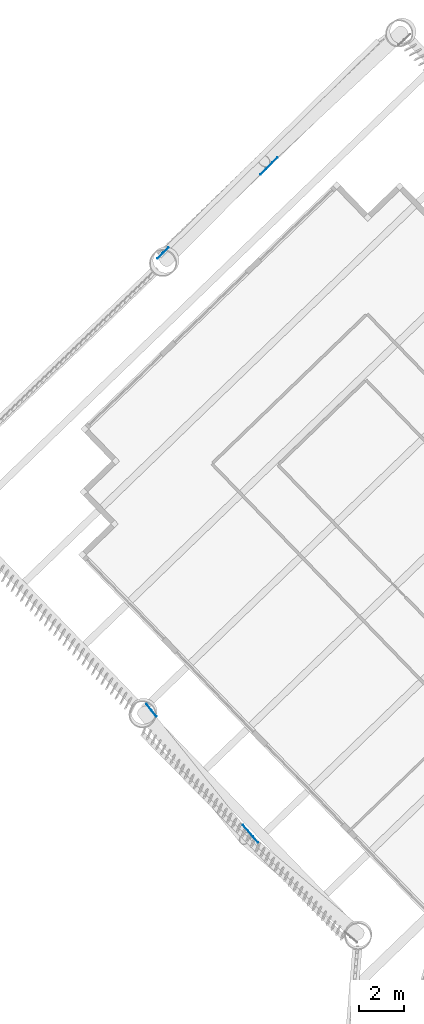
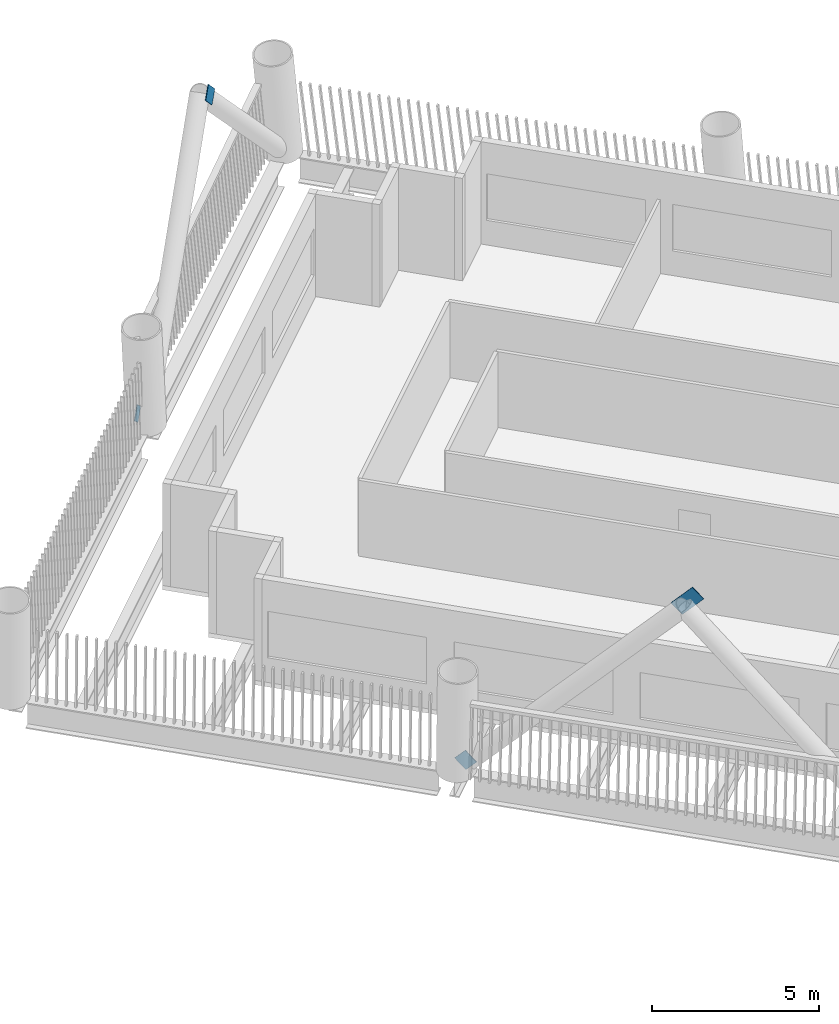
# One storey, part 12 of 22: 4 discrete accessories.
"""IFC4 building model written with IfcOpenShell, lengths in metres."""

from ifc_helpers import new_model, si_unit, direction, frame, origin, origin_2d, place, context, subcontext, project, spatial, rectangle, extrude, material, material_profile, profile_set, type_object, element, save


model = new_model("IFC4")

# Units and contexts
model_context = context("Model", 3, precision=1e-05, world=origin(), true_north=direction((0.0, 1.0)))
body_context = subcontext(model_context, "Body", "Model", "MODEL_VIEW")
ifc_project = project(units=[si_unit("LENGTHUNIT", "METRE"), si_unit("AREAUNIT", "SQUARE_METRE"), si_unit("VOLUMEUNIT", "CUBIC_METRE"), si_unit("PLANEANGLEUNIT", "RADIAN"), si_unit("MASSUNIT", "GRAM", prefix="KILO")], contexts=[model_context])

# Site, building, storey
site_placement = place(None, origin())
site = spatial("IfcSite", under=ifc_project, at=site_placement, CompositionType="ELEMENT")
building_placement = place(site_placement, origin())
building = spatial("IfcBuilding", under=site, at=building_placement, Name="Tarsis Ring Headquarters", CompositionType="ELEMENT")
storey_placement = place(building_placement, frame((0.0, 0.0, 71.199951171875)))
storey = spatial("IfcBuildingStorey", under=building, at=storey_placement, Name="L15", CompositionType="ELEMENT", Elevation=71.199951171875)

# Discrete accessories
ifc_material = material(Name="Structural steel S355", Category="steel")
ifc_material_profile = material_profile(ifc_material, rectangle(XDim=0.02490234375, YDim=0.5, at=origin_2d()), Name="PL 25x500")
ifc_profile_set = profile_set([ifc_material_profile], Name="Structural steel S355")
discrete_accessory_type = type_object("IfcDiscreteAccessoryType", Name="Gusset plate Exo brace 25", PredefinedType="BRACKET", material=ifc_profile_set)
discrete_accessory_1_placement = place(storey_placement, frame((-31.763916015625, 42.49658203125, 7.465576171875), z_axis=(-0.522859269174, -0.528473537704, 0.66883025095), x_axis=(0.710872697232, -0.703320700911, 0.0)))
element("IfcDiscreteAccessory", 1, at=discrete_accessory_1_placement, inside=storey, type_object=discrete_accessory_type, Name="Gusset plate GP5", PredefinedType="BRACKET", context=body_context, shape_type="SweptSolid", body=[
    extrude(rectangle(XDim=0.02490234375, YDim=0.5, at=origin_2d()), origin(), (0.0, 0.0, 1.0), 1.000244140625),
])
for number, where, z_axis, x_axis, name in (
    (2, (-36.903564453125, 38.204345703125, 0.0), (0.441844337733, 0.446238369821, 0.778231905355), (-0.710596687567, 0.703599564823, 0.0), "Gusset plate GP5"),
    (3, (-37.41943359375, 17.8984375, 0.0), (0.427664586895, -0.532627927286, 0.730349568488), (0.779751914554, 0.626088613336, 0.0), "Gusset plate GP5"),
):
    element("IfcDiscreteAccessory", number, at=place(storey_placement, frame(where, z_axis=z_axis, x_axis=x_axis)), inside=storey, type_object=discrete_accessory_type, Name=name, PredefinedType="BRACKET", context=body_context, shape_type="SweptSolid", body=[
        extrude(rectangle(XDim=0.02490234375, YDim=0.5, at=origin_2d()), origin(), (0.0, 0.0, 1.0), 0.5),
    ])
discrete_accessory_2_placement = place(storey_placement, frame((-33.078369140625, 12.4755859375, 7.435791015625), z_axis=(0.445263337803, -0.520694462464, 0.728435197371), x_axis=(0.760010632264, 0.649910639123, 0.0)))
element("IfcDiscreteAccessory", 4, at=discrete_accessory_2_placement, inside=storey, type_object=discrete_accessory_type, Name="Gusset plate GP5", PredefinedType="BRACKET", context=body_context, shape_type="SweptSolid", body=[
    extrude(rectangle(XDim=0.02490234375, YDim=0.5, at=origin_2d()), origin(), (0.0, 0.0, 1.0), 1.0),
])

save(model, "model.ifc")
